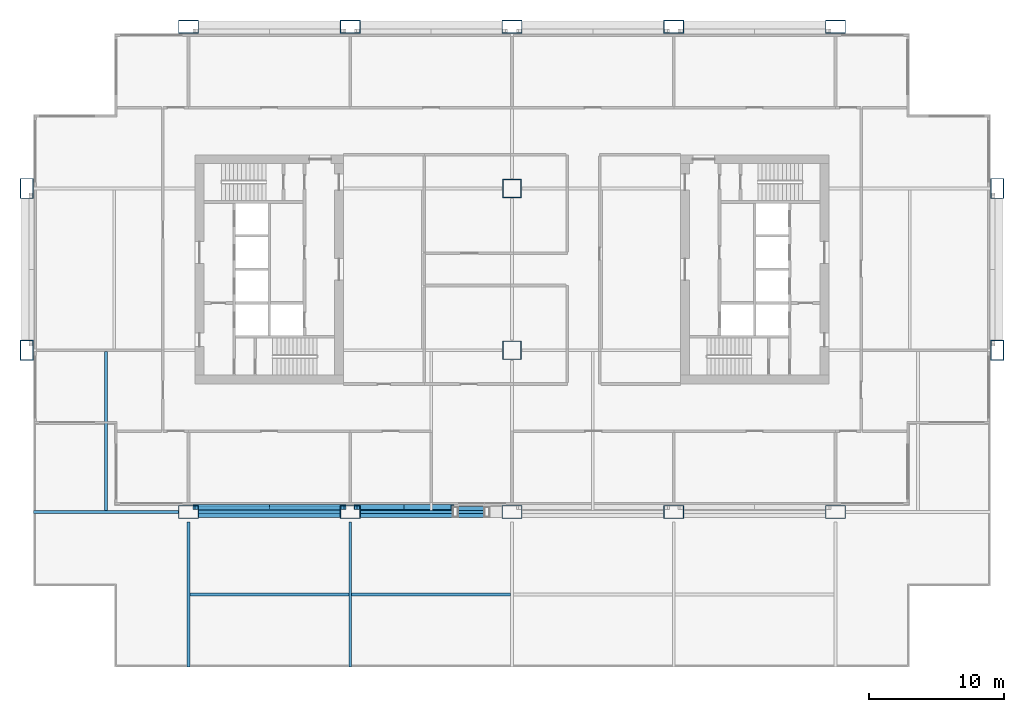
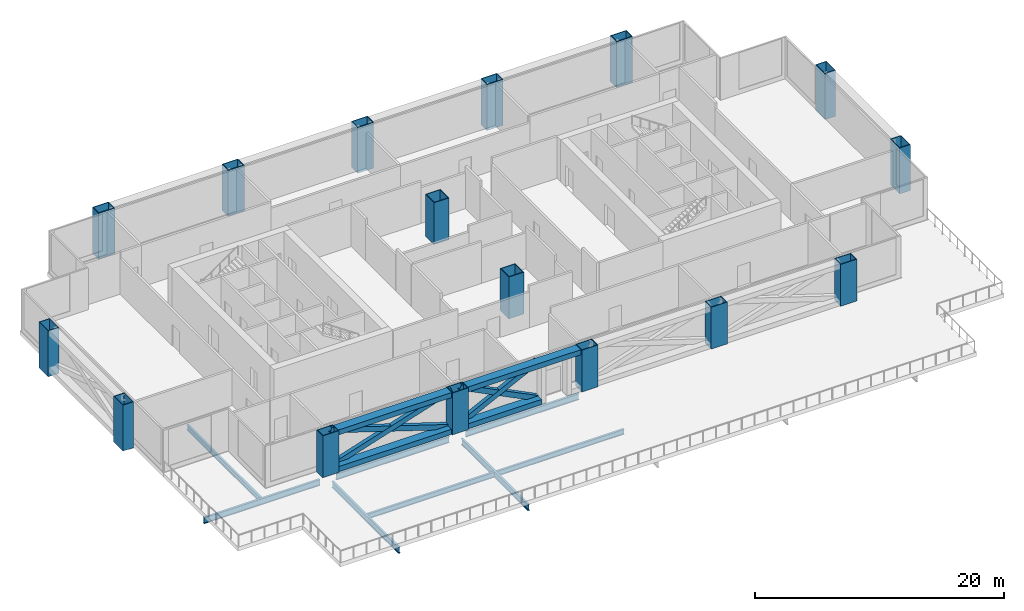
# One storey, part 1 of 8: 16 columns, 12 beams, 4 members.
"""IFC4 building model written with IfcOpenShell, lengths in metres."""

from ifc_helpers import new_model, si_unit, direction, frame, origin, origin_2d, place, context, subcontext, project, spatial, hollow_rectangle, i_section, extrude, material, material_profile, profile_set, type_object, element, save


model = new_model("IFC4")

# Units and contexts
model_context = context("Model", 3, precision=1e-05, world=origin(), true_north=direction((0.0, 1.0)))
body_context = subcontext(model_context, "Body", "Model", "MODEL_VIEW")
ifc_project = project(units=[si_unit("LENGTHUNIT", "METRE"), si_unit("AREAUNIT", "SQUARE_METRE"), si_unit("VOLUMEUNIT", "CUBIC_METRE"), si_unit("PLANEANGLEUNIT", "RADIAN"), si_unit("MASSUNIT", "GRAM", prefix="KILO")], contexts=[model_context])

# Site, building, storey
site_placement = place(None, origin())
site = spatial("IfcSite", under=ifc_project, at=site_placement, CompositionType="ELEMENT")
building_placement = place(site_placement, origin())
building = spatial("IfcBuilding", under=site, at=building_placement, Name="Kitamizu Gate Tower and Museum", CompositionType="ELEMENT")
storey_placement = place(building_placement, frame((0.0, 0.0, 92.10009765625)))
storey = spatial("IfcBuildingStorey", under=building, at=storey_placement, Name="L23", CompositionType="ELEMENT", Elevation=92.10009765625)

# Columns
ifc_material_1 = material(Name="Steel SM490A bronze coated", Category="steel")
ifc_material_profile_1 = material_profile(ifc_material_1, hollow_rectangle(XDim=1.5, YDim=1.0, WallThickness=0.06005859375, at=origin_2d()), Name="BOX 1500x1000x60")
ifc_profile_set_1 = profile_set([ifc_material_profile_1], Name="Steel SM490A bronze coated")
column_type_1 = type_object("IfcColumnType", Name="Exoskeleton column XC4 BOX 1500x1000x60", PredefinedType="COLUMN", material=ifc_profile_set_1)
for number, where, z_axis, x_axis, name in (
    (1, (0.0, 24.0, -0.400146484375), (0.0, 0.0, 1.0), (0.0, 1.0, 0.0), "Column XC4 1C L23"),
    (2, (0.0, 36.0, -0.400146484375), (0.0, 0.0, 1.0), (0.0, 1.0, 0.0), "Column XC4 1D L23"),
):
    element("IfcColumn", number, at=place(storey_placement, frame(where, z_axis=z_axis, x_axis=x_axis)), inside=storey, type_object=column_type_1, Name=name, PredefinedType="COLUMN", context=body_context, shape_type="SweptSolid", body=[
        extrude(hollow_rectangle(XDim=1.5, YDim=1.0, WallThickness=0.06005859375, at=origin_2d()), origin(), (0.0, 0.0, 1.0), 4.5),
    ])
column_1_placement = place(storey_placement, frame((12.0, 12.0, 0.0), z_axis=(0.0, 0.0, 1.0), x_axis=(1.0, 0.0, 0.0)))
element("IfcColumn", 3, at=column_1_placement, inside=storey, type_object=column_type_1, Name="Column XC4 2B L23", PredefinedType="COLUMN", context=body_context, shape_type="SweptSolid", body=[
    extrude(hollow_rectangle(XDim=1.5, YDim=1.0, WallThickness=0.06005859375, at=origin_2d()), origin(), (0.0, 0.0, 1.0), 4.099853515625),
])
column_2_placement = place(storey_placement, frame((12.0, 48.0, -0.400146484375), z_axis=(0.0, 0.0, 1.0), x_axis=(1.0, 0.0, 0.0)))
element("IfcColumn", 4, at=column_2_placement, inside=storey, type_object=column_type_1, Name="Column XC4 2E L23", PredefinedType="COLUMN", context=body_context, shape_type="SweptSolid", body=[
    extrude(hollow_rectangle(XDim=1.5, YDim=1.0, WallThickness=0.06005859375, at=origin_2d()), origin(), (0.0, 0.0, 1.0), 4.5),
])
column_3_placement = place(storey_placement, frame((24.0, 12.0, 0.0), z_axis=(0.0, 0.0, 1.0), x_axis=(1.0, 0.0, 0.0)))
element("IfcColumn", 5, at=column_3_placement, inside=storey, type_object=column_type_1, Name="Column XC4 3B L23", PredefinedType="COLUMN", context=body_context, shape_type="SweptSolid", body=[
    extrude(hollow_rectangle(XDim=1.5, YDim=1.0, WallThickness=0.06005859375, at=origin_2d()), origin(), (0.0, 0.0, 1.0), 4.099853515625),
])
column_4_placement = place(storey_placement, frame((24.0, 48.0, -0.400146484375), z_axis=(0.0, 0.0, 1.0), x_axis=(1.0, 0.0, 0.0)))
element("IfcColumn", 6, at=column_4_placement, inside=storey, type_object=column_type_1, Name="Column XC4 3E L23", PredefinedType="COLUMN", context=body_context, shape_type="SweptSolid", body=[
    extrude(hollow_rectangle(XDim=1.5, YDim=1.0, WallThickness=0.06005859375, at=origin_2d()), origin(), (0.0, 0.0, 1.0), 4.5),
])
column_5_placement = place(storey_placement, frame((36.0, 12.0, 0.0), z_axis=(0.0, 0.0, 1.0), x_axis=(1.0, 0.0, 0.0)))
element("IfcColumn", 7, at=column_5_placement, inside=storey, type_object=column_type_1, Name="Column XC4 4B L23", PredefinedType="COLUMN", context=body_context, shape_type="SweptSolid", body=[
    extrude(hollow_rectangle(XDim=1.5, YDim=1.0, WallThickness=0.06005859375, at=origin_2d()), origin(), (0.0, 0.0, 1.0), 4.099853515625),
])
column_6_placement = place(storey_placement, frame((36.0, 48.0, -0.400146484375), z_axis=(0.0, 0.0, 1.0), x_axis=(1.0, 0.0, 0.0)))
element("IfcColumn", 8, at=column_6_placement, inside=storey, type_object=column_type_1, Name="Column XC4 4E L23", PredefinedType="COLUMN", context=body_context, shape_type="SweptSolid", body=[
    extrude(hollow_rectangle(XDim=1.5, YDim=1.0, WallThickness=0.06005859375, at=origin_2d()), origin(), (0.0, 0.0, 1.0), 4.5),
])
column_7_placement = place(storey_placement, frame((48.0, 12.0, 0.0), z_axis=(0.0, 0.0, 1.0), x_axis=(1.0, 0.0, 0.0)))
element("IfcColumn", 9, at=column_7_placement, inside=storey, type_object=column_type_1, Name="Column XC4 5B L23", PredefinedType="COLUMN", context=body_context, shape_type="SweptSolid", body=[
    extrude(hollow_rectangle(XDim=1.5, YDim=1.0, WallThickness=0.06005859375, at=origin_2d()), origin(), (0.0, 0.0, 1.0), 4.099853515625),
])
column_8_placement = place(storey_placement, frame((48.0, 48.0, -0.400146484375), z_axis=(0.0, 0.0, 1.0), x_axis=(1.0, 0.0, 0.0)))
element("IfcColumn", 10, at=column_8_placement, inside=storey, type_object=column_type_1, Name="Column XC4 5E L23", PredefinedType="COLUMN", context=body_context, shape_type="SweptSolid", body=[
    extrude(hollow_rectangle(XDim=1.5, YDim=1.0, WallThickness=0.06005859375, at=origin_2d()), origin(), (0.0, 0.0, 1.0), 4.5),
])
column_9_placement = place(storey_placement, frame((60.0, 12.0, 0.0), z_axis=(0.0, 0.0, 1.0), x_axis=(1.0, 0.0, 0.0)))
element("IfcColumn", 11, at=column_9_placement, inside=storey, type_object=column_type_1, Name="Column XC4 6B L23", PredefinedType="COLUMN", context=body_context, shape_type="SweptSolid", body=[
    extrude(hollow_rectangle(XDim=1.5, YDim=1.0, WallThickness=0.06005859375, at=origin_2d()), origin(), (0.0, 0.0, 1.0), 4.099853515625),
])
for number, where, z_axis, x_axis, name in (
    (12, (60.0, 48.0, -0.400146484375), (0.0, 0.0, 1.0), (1.0, 0.0, 0.0), "Column XC4 6E L23"),
    (13, (72.0, 24.0, -0.400146484375), (0.0, 0.0, 1.0), (0.0, 1.0, 0.0), "Column XC4 7C L23"),
    (14, (72.0, 36.0, -0.400146484375), (0.0, 0.0, 1.0), (0.0, 1.0, 0.0), "Column XC4 7D L23"),
):
    element("IfcColumn", number, at=place(storey_placement, frame(where, z_axis=z_axis, x_axis=x_axis)), inside=storey, type_object=column_type_1, Name=name, PredefinedType="COLUMN", context=body_context, shape_type="SweptSolid", body=[
        extrude(hollow_rectangle(XDim=1.5, YDim=1.0, WallThickness=0.06005859375, at=origin_2d()), origin(), (0.0, 0.0, 1.0), 4.5),
    ])
ifc_material_2 = material(Name="Steel SM490A", Category="steel")
ifc_material_profile_2 = material_profile(ifc_material_2, hollow_rectangle(XDim=1.39990234375, YDim=1.39990234375, WallThickness=0.06005859375, at=origin_2d()), Name="BOX 1400x1400x60")
ifc_profile_set_2 = profile_set([ifc_material_profile_2], Name="Steel SM490A")
column_type_2 = type_object("IfcColumnType", Name="Interior column IC3 BOX 1400x1400x60", PredefinedType="COLUMN", material=ifc_profile_set_2)
for number, where, z_axis, x_axis, name in (
    (15, (36.0, 24.0, 0.0), (0.0, 0.0, 1.0), (1.0, 0.0, 0.0), "Column IC3 4C L23"),
    (16, (36.0, 36.0, 0.0), (0.0, 0.0, 1.0), (1.0, 0.0, 0.0), "Column IC3 4D L23"),
):
    element("IfcColumn", number, at=place(storey_placement, frame(where, z_axis=z_axis, x_axis=x_axis)), inside=storey, type_object=column_type_2, Name=name, PredefinedType="COLUMN", context=body_context, shape_type="SweptSolid", body=[
        extrude(hollow_rectangle(XDim=1.39990234375, YDim=1.39990234375, WallThickness=0.06005859375, at=origin_2d()), origin(), (0.0, 0.0, 1.0), 4.099853515625),
    ])

# Beams
ifc_material_3 = material(Name="Steel SM490A bronze coated", Category="steel")
ifc_material_profile_3 = material_profile(ifc_material_3, hollow_rectangle(XDim=0.800048828125, YDim=0.5, WallThickness=0.0400390625, at=origin_2d()), Name="BOX 800x500x40")
ifc_profile_set_3 = profile_set([ifc_material_profile_3], Name="Steel SM490A bronze coated")
beam_type_1 = type_object("IfcBeamType", Name="Belt truss chord BTC1 BOX 800x500x40", PredefinedType="BEAM", material=ifc_profile_set_3)
for number, where, z_axis, x_axis, name in (
    (17, (12.75, 12.0, 3.849853515625), (1.0, 0.0, 0.0), (0.0, 1.0, 0.0), "Belt truss top chord south 12 L23"),
    (18, (12.75, 12.0, 0.25), (1.0, 0.0, 0.0), (0.0, 1.0, 0.0), "Belt truss bottom chord south 12 L23"),
    (19, (24.75, 12.0, 3.849853515625), (1.0, 0.0, 0.0), (0.0, 1.0, 0.0), "Belt truss top chord south 24 L23"),
):
    element("IfcBeam", number, at=place(storey_placement, frame(where, z_axis=z_axis, x_axis=x_axis)), inside=storey, type_object=beam_type_1, Name=name, PredefinedType="BEAM", context=body_context, shape_type="SweptSolid", body=[
        extrude(hollow_rectangle(XDim=0.800048828125, YDim=0.5, WallThickness=0.0400390625, at=origin_2d()), origin(), (0.0, 0.0, 1.0), 10.5),
    ])
beam_placement = place(storey_placement, frame((24.75, 12.0, 0.25), z_axis=(1.0, 0.0, 0.0), x_axis=(0.0, 1.0, 0.0)))
element("IfcBeam", 20, at=beam_placement, inside=storey, type_object=beam_type_1, Name="Belt truss bottom chord south 24 L23", PredefinedType="BEAM", context=body_context, shape_type="SweptSolid", body=[
    extrude(hollow_rectangle(XDim=0.800048828125, YDim=0.5, WallThickness=0.0400390625, at=origin_2d()), origin(), (0.0, 0.0, 1.0), 6.85009765625),
])

# Members
ifc_material_4 = material(Name="Steel SM490A bronze coated", Category="steel")
ifc_material_profile_4 = material_profile(ifc_material_4, hollow_rectangle(XDim=0.3798828125, YDim=0.5, WallThickness=0.028076171875, at=origin_2d()), Name="BOX 380x500x28")
ifc_profile_set_4 = profile_set([ifc_material_profile_4], Name="Steel SM490A bronze coated")
member_type = type_object("IfcMemberType", Name="Belt truss diagonal BTD1 BOX 380x500x28", PredefinedType="BRACE", material=ifc_profile_set_4)
for number, where, z_axis, x_axis, name in (
    (21, (12.39990234375, 12.360107421875, 0.25), (0.952033743233, 0.0, 0.30599305833), (0.0, 1.0, 0.0), "Belt truss diagonal south 12 L23"),
    (22, (23.60009765625, 12.360107421875, 0.25), (-0.952033743233, 0.0, 0.30599305833), (0.0, -1.0, 0.0), "Belt truss diagonal south 12 L23"),
):
    element("IfcMember", number, at=place(storey_placement, frame(where, z_axis=z_axis, x_axis=x_axis)), inside=storey, type_object=member_type, Name=name, PredefinedType="BRACE", context=body_context, shape_type="SweptSolid", body=[
        extrude(hollow_rectangle(XDim=0.3798828125, YDim=0.5, WallThickness=0.028076171875, at=origin_2d()), origin(), (0.0, 0.0, 1.0), 11.764404296875),
    ])
for number, where, z_axis, x_axis, name in (
    (23, (24.39990234375, 12.360107421875, 0.25), (0.894439321951, 0.0, 0.447189332774), (0.0, 1.0, 0.0), "Belt truss diagonal south 24 L23"),
    (24, (31.60009765625, 12.360107421875, 0.25), (-0.894439321951, 0.0, 0.447189332774), (0.0, -1.0, 0.0), "Belt truss diagonal south 24 L23"),
):
    element("IfcMember", number, at=place(storey_placement, frame(where, z_axis=z_axis, x_axis=x_axis)), inside=storey, type_object=member_type, Name=name, PredefinedType="BRACE", context=body_context, shape_type="SweptSolid", body=[
        extrude(hollow_rectangle(XDim=0.3798828125, YDim=0.5, WallThickness=0.028076171875, at=origin_2d()), origin(), (0.0, 0.0, 1.0), 8.050048828125),
    ])

# Beams
ifc_material_5 = material(Name="Steel SM490A", Category="steel")
ifc_material_profile_5 = material_profile(ifc_material_5, i_section(OverallWidth=0.199951171875, OverallDepth=0.5, WebThickness=0.010009765625, FlangeThickness=0.01611328125, FilletRadius=0.02001953125, at=origin_2d()), Name="H-500x200x10x16")
ifc_profile_set_5 = profile_set([ifc_material_profile_5], Name="Steel SM490A")
beam_type_2 = type_object("IfcBeamType", Name="Floor beam FB1 H 500x200x10x16", PredefinedType="BEAM", material=ifc_profile_set_5)
for number, where, z_axis, x_axis, name in (
    (25, (12.10009765625, 5.875, -0.650146484375), (1.0, 0.0, 0.0), (0.0, 1.0, 0.0), "Floor beam FB1 L23-1"),
    (26, (24.10009765625, 5.875, -0.650146484375), (1.0, 0.0, 0.0), (0.0, 1.0, 0.0), "Floor beam FB1 L23-2"),
    (27, (5.875, 12.10009765625, -0.650146484375), (0.0, 1.0, 0.0), (-1.0, 0.0, 0.0), "Floor beam FB1 L23-5"),
):
    element("IfcBeam", number, at=place(storey_placement, frame(where, z_axis=z_axis, x_axis=x_axis)), inside=storey, type_object=beam_type_2, Name=name, PredefinedType="BEAM", context=body_context, shape_type="SweptSolid", body=[
        extrude(i_section(OverallWidth=0.199951171875, OverallDepth=0.5, WebThickness=0.010009765625, FlangeThickness=0.01611328125, FilletRadius=0.02001953125, at=origin_2d()), origin(), (0.0, 0.0, 1.0), 11.7998046875),
    ])
ifc_material_6 = material(Name="Steel SM490A", Category="steel")
ifc_material_profile_6 = material_profile(ifc_material_6, i_section(OverallWidth=0.199951171875, OverallDepth=0.60009765625, WebThickness=0.010986328125, FlangeThickness=0.01708984375, FilletRadius=0.02197265625, at=origin_2d()), Name="H-600x200x11x17")
ifc_profile_set_6 = profile_set([ifc_material_profile_6], Name="Steel SM490A")
beam_type_3 = type_object("IfcBeamType", Name="Floor girder FG1 H 600x200x11x17", PredefinedType="BEAM", material=ifc_profile_set_6)
for number, where, z_axis, x_axis, name in (
    (28, (12.0, 0.5, -0.7001953125), (0.0, 1.0, 0.0), (-1.0, 0.0, 0.0), "Floor girder FG1 x12 L23"),
    (29, (24.0, 0.5, -0.7001953125), (0.0, 1.0, 0.0), (-1.0, 0.0, 0.0), "Floor girder FG1 x24 L23"),
    (30, (0.5, 12.0, -0.7001953125), (1.0, 0.0, 0.0), (0.0, 1.0, 0.0), "Floor girder FG1 y12 L23"),
):
    element("IfcBeam", number, at=place(storey_placement, frame(where, z_axis=z_axis, x_axis=x_axis)), inside=storey, type_object=beam_type_3, Name=name, PredefinedType="BEAM", context=body_context, shape_type="SweptSolid", body=[
        extrude(i_section(OverallWidth=0.199951171875, OverallDepth=0.60009765625, WebThickness=0.010986328125, FlangeThickness=0.01708984375, FilletRadius=0.02197265625, at=origin_2d()), origin(), (0.0, 0.0, 1.0), 10.75),
    ])
for number, where, z_axis, x_axis, name in (
    (31, (12.75, 12.0, -0.7001953125), (1.0, 0.0, 0.0), (0.0, 1.0, 0.0), "Floor girder FG1 y12 L23"),
    (32, (24.75, 12.0, -0.7001953125), (1.0, 0.0, 0.0), (0.0, 1.0, 0.0), "Floor girder FG1 y12 L23"),
):
    element("IfcBeam", number, at=place(storey_placement, frame(where, z_axis=z_axis, x_axis=x_axis)), inside=storey, type_object=beam_type_3, Name=name, PredefinedType="BEAM", context=body_context, shape_type="SweptSolid", body=[
        extrude(i_section(OverallWidth=0.199951171875, OverallDepth=0.60009765625, WebThickness=0.010986328125, FlangeThickness=0.01708984375, FilletRadius=0.02197265625, at=origin_2d()), origin(), (0.0, 0.0, 1.0), 10.5),
    ])

save(model, "model.ifc")
